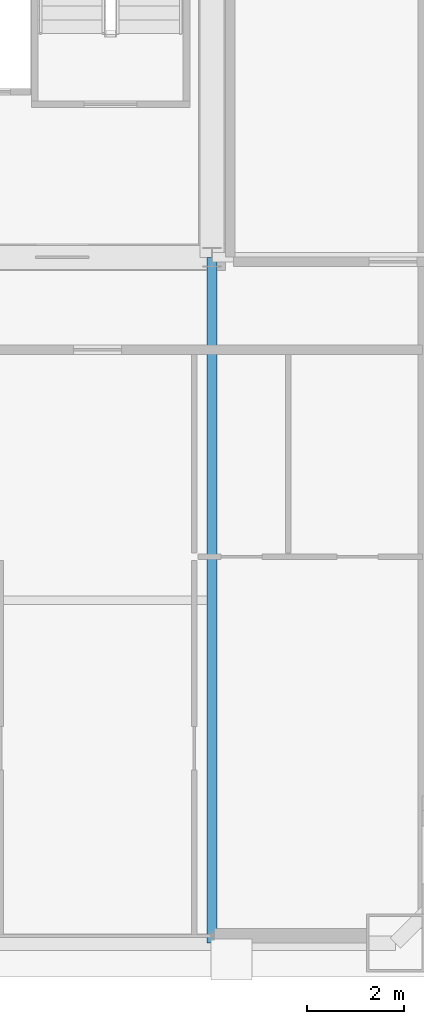
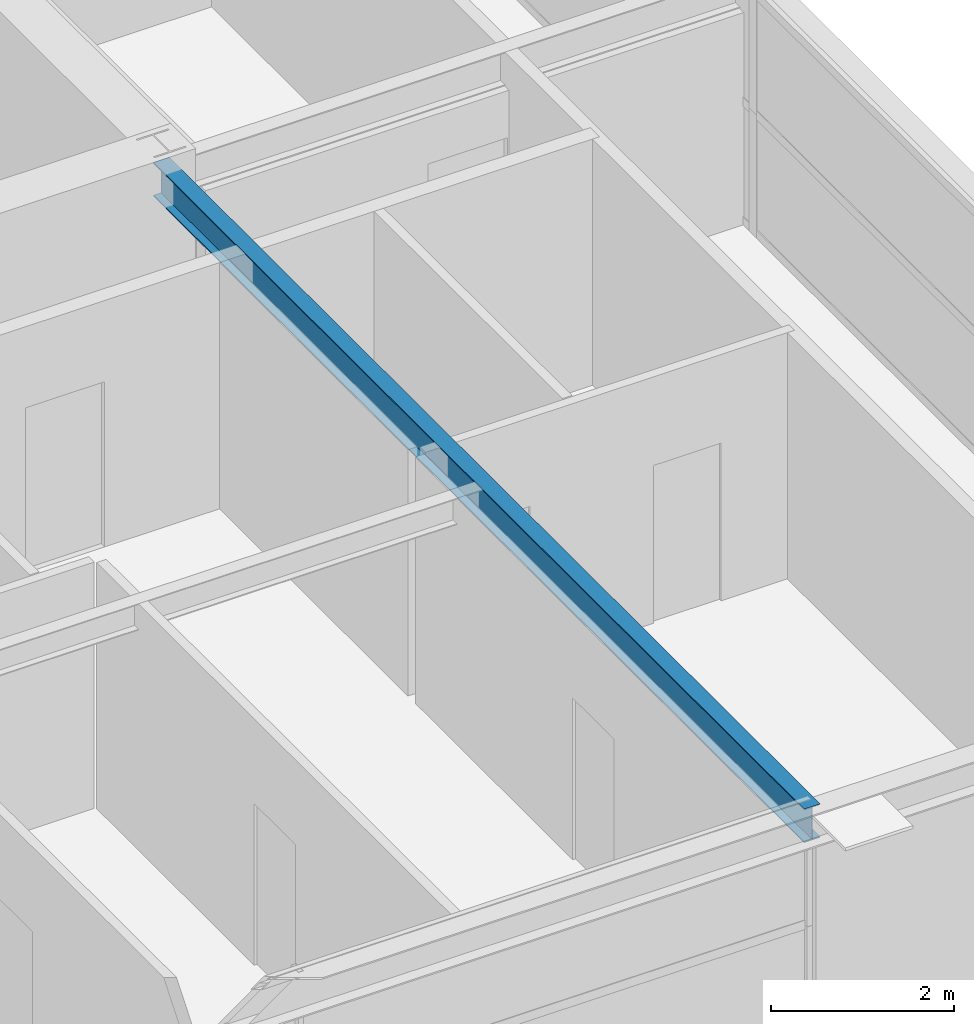
# One storey, part 16 of 36: 1 beam.
"""IFC4 building model written with IfcOpenShell, lengths in metres."""

from ifc_helpers import new_model, si_unit, direction, frame, origin, origin_2d, place, context, subcontext, project, spatial, i_section, extrude, source, transform, mapped, material, material_profile, profile_set, type_object, element, save


model = new_model("IFC4")

# Units and contexts
model_context = context("Model", 3, precision=1e-05, world=origin(), true_north=direction((0.0, 1.0)))
body_context = subcontext(model_context, "Body", "Model", "MODEL_VIEW")
ifc_project = project(units=[si_unit("LENGTHUNIT", "METRE"), si_unit("AREAUNIT", "SQUARE_METRE"), si_unit("VOLUMEUNIT", "CUBIC_METRE"), si_unit("PLANEANGLEUNIT", "RADIAN"), si_unit("MASSUNIT", "GRAM", prefix="KILO"), si_unit("THERMODYNAMICTEMPERATUREUNIT", "KELVIN"), si_unit("POWERUNIT", "WATT")], contexts=[model_context])

# Site, building, storey
site_placement = place(None, origin())
site = spatial("IfcSite", under=ifc_project, at=site_placement, CompositionType="ELEMENT")
building_placement = place(site_placement, origin())
building = spatial("IfcBuilding", under=site, at=building_placement, Name="Yuzanri Waterfront Tower", CompositionType="ELEMENT")
storey_placement = place(building_placement, frame((0.0, 0.0, 224.10009765625)))
storey = spatial("IfcBuildingStorey", under=building, at=storey_placement, Name="L59", CompositionType="ELEMENT", Elevation=224.10009765625)

# Beam
ifc_material = material(Name="Steel Q355B", Category="steel")
ifc_material_profile = material_profile(ifc_material, i_section(OverallWidth=0.199951171875, OverallDepth=0.449951171875, WebThickness=0.009033203125, FlangeThickness=0.013916015625, at=origin_2d()), Name="HN 450x200x9x14")
ifc_profile_set = profile_set([ifc_material_profile], Name="Steel Q355B")
beam_type = type_object("IfcBeamType", Name="Secondary Floor Beam Q355B HN 450x200", PredefinedType="BEAM", material=ifc_profile_set)
shared_shape = source(origin(), body_context, "Body", "SweptSolid", [
    extrude(i_section(OverallWidth=0.199951171875, OverallDepth=0.449951171875, WebThickness=0.009033203125, FlangeThickness=0.013916015625, at=origin_2d()), origin(), (0.0, 0.0, 1.0), 14.199951171875),
])
beam_placement = place(storey_placement, frame((50.199951171875, 19.39990234375, 3.054931640625), z_axis=(0.0, -1.0, 0.0), x_axis=(1.0, 0.0, 0.0)))
element("IfcBeam", 1, at=beam_placement, inside=storey, type_object=beam_type, Name="L59 South-East Core Line Beam", PredefinedType="BEAM", context=body_context, shape_type="MappedRepresentation", body=[
    mapped(shared_shape, transform((0.0, 0.0, 0.0), scale=1.0)),
])

save(model, "model.ifc")
